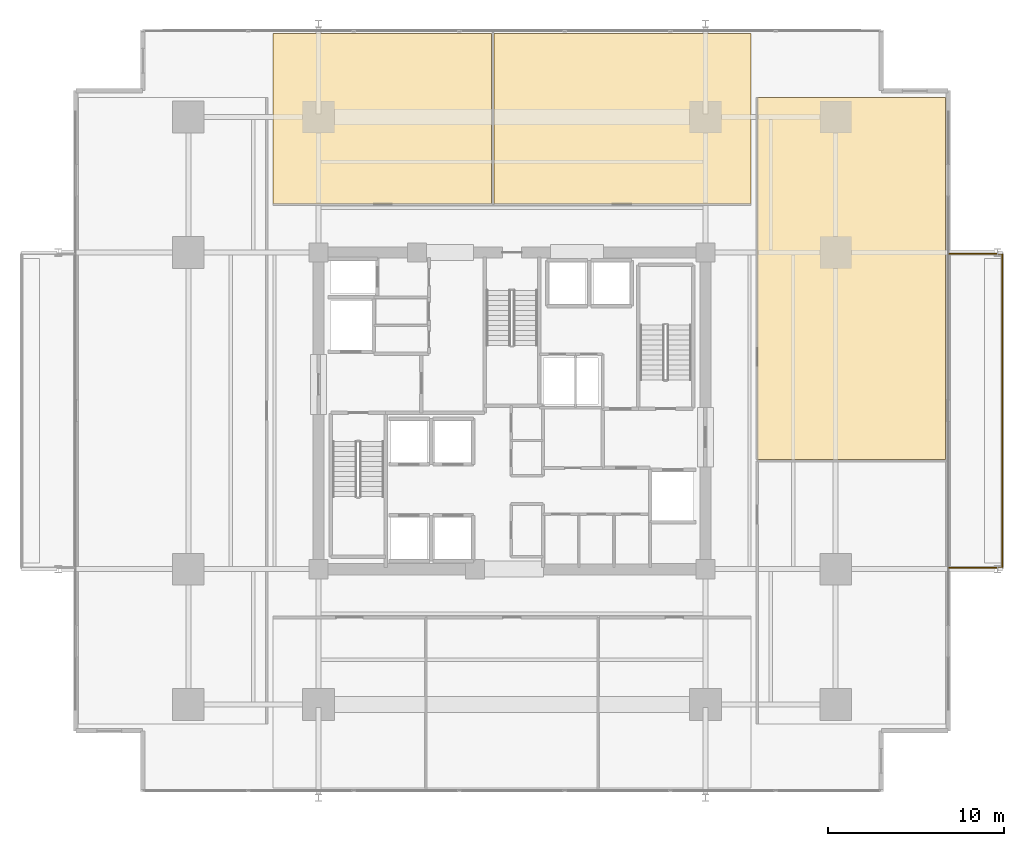
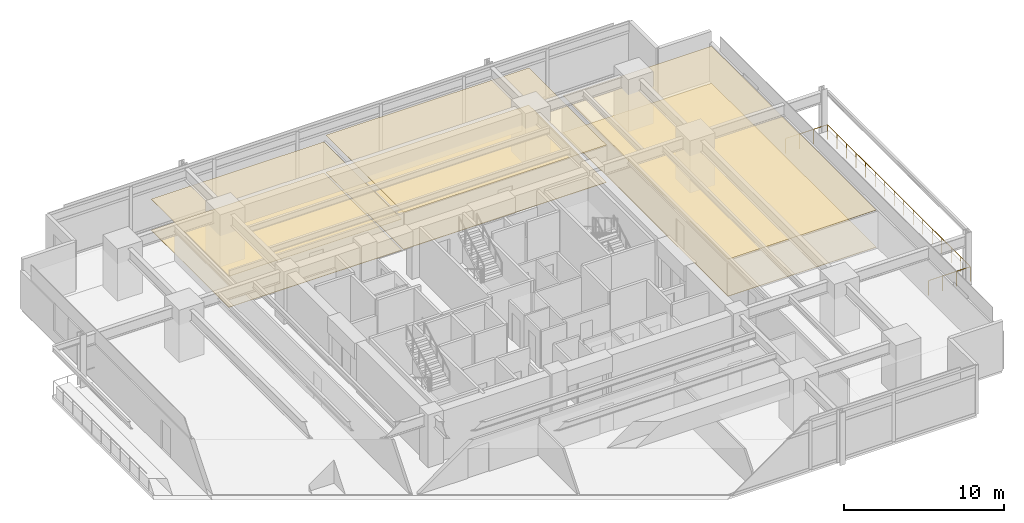
# One storey, part 21 of 21: 6 coverings, 1 railing.
"""IFC4 building model written with IfcOpenShell, lengths in metres."""

from ifc_helpers import new_model, si_unit, direction, frame, origin, origin_2d, place, context, subcontext, project, spatial, polyline, circle, outline, extrude, material, layer, layer_set, type_object, element, save


model = new_model("IFC4")

# Units and contexts
model_context = context("Model", 3, precision=1e-05, world=origin(), true_north=direction((0.0, 1.0)))
body_context = subcontext(model_context, "Body", "Model", "MODEL_VIEW")
ifc_project = project(units=[si_unit("LENGTHUNIT", "METRE"), si_unit("AREAUNIT", "SQUARE_METRE"), si_unit("VOLUMEUNIT", "CUBIC_METRE"), si_unit("PLANEANGLEUNIT", "RADIAN"), si_unit("MASSUNIT", "GRAM", prefix="KILO")], contexts=[model_context])

# Site, building, storey
site_placement = place(None, origin())
site = spatial("IfcSite", under=ifc_project, at=site_placement, CompositionType="ELEMENT")
building_placement = place(site_placement, origin())
building = spatial("IfcBuilding", under=site, at=building_placement, Name="Kovane Verandah Tower", CompositionType="ELEMENT")
storey_placement = place(building_placement, frame((0.0, 0.0, 27.60009765625)))
storey = spatial("IfcBuildingStorey", under=building, at=storey_placement, Name="L05", CompositionType="ELEMENT", Elevation=27.60009765625)

# Coverings
ifc_material_1 = material(Name="Perforated Acoustic Mineral-Fibre Ceiling Tile", Category="gypsum")
ifc_layer_1 = layer(ifc_material_1, 0.02490234375)
ifc_layer_set_1 = layer_set([ifc_layer_1], Name="Perforated Acoustic Mineral-Fibre Ceiling Tile")
covering_type_1 = type_object("IfcCoveringType", Name="CV-CEIL-25", PredefinedType="CEILING", material=ifc_layer_set_1)
covering_1_placement = place(storey_placement, frame((0.0, 0.0, 2.364990234375)))
element("IfcCovering", 1, at=covering_1_placement, inside=storey, type_object=covering_type_1, Name="L05 Open Plan Office N1 Acoustic Ceiling", PredefinedType="CEILING", context=body_context, shape_type="SweptSolid", body=[
    extrude(outline(polyline([(26.39990234375, 39.25), (38.842041015625, 39.25), (38.842041015625, 48.949951171875), (26.39990234375, 48.949951171875), (26.39990234375, 39.25)])), origin(), (0.0, 0.0, 1.0), 0.02490234375),
])
covering_2_placement = place(storey_placement, frame((0.0, 0.0, 2.824951171875)))
element("IfcCovering", 2, at=covering_2_placement, inside=storey, type_object=covering_type_1, Name="L05 Executive Office N2 Acoustic Ceiling", PredefinedType="CEILING", context=body_context, shape_type="SweptSolid", body=[
    extrude(outline(polyline([(38.98193359375, 39.25), (53.60009765625, 39.25), (53.60009765625, 48.949951171875), (38.98193359375, 48.949951171875), (38.98193359375, 39.25)])), origin(), (0.0, 0.0, 1.0), 0.02490234375),
])
covering_3_placement = place(storey_placement, frame((0.0, 0.0, 2.824951171875)))
element("IfcCovering", 3, at=covering_3_placement, inside=storey, type_object=covering_type_1, Name="L05 Document and Print Room E2 Acoustic Ceiling", PredefinedType="CEILING", context=body_context, shape_type="SweptSolid", body=[
    extrude(outline(polyline([(53.949951171875, 24.721923828125), (64.64990234375, 24.721923828125), (64.64990234375, 45.300048828125), (53.949951171875, 45.300048828125), (53.949951171875, 24.721923828125)])), origin(), (0.0, 0.0, 1.0), 0.02490234375),
])
ifc_material_2 = material(Name="Polished Terrazzo and Raised-Access Carpet Tile Finish", Category="concrete")
ifc_layer_2 = layer(ifc_material_2, 0.030029296875)
ifc_layer_set_2 = layer_set([ifc_layer_2], Name="Polished Terrazzo and Raised-Access Carpet Tile Finish")
covering_type_2 = type_object("IfcCoveringType", Name="CV-FLOR-30", PredefinedType="FLOORING", material=ifc_layer_set_2)
covering_4_placement = place(storey_placement, origin())
element("IfcCovering", 4, at=covering_4_placement, inside=storey, type_object=covering_type_2, Name="L05 Open Plan Office N1 Floor Finish", PredefinedType="FLOORING", context=body_context, shape_type="SweptSolid", body=[
    extrude(outline(polyline([(26.39990234375, 39.25), (38.842041015625, 39.25), (38.842041015625, 48.949951171875), (26.39990234375, 48.949951171875), (26.39990234375, 39.25)])), origin(), (0.0, 0.0, 1.0), 0.02978515625),
])
covering_5_placement = place(storey_placement, origin())
element("IfcCovering", 5, at=covering_5_placement, inside=storey, type_object=covering_type_2, Name="L05 Executive Office N2 Floor Finish", PredefinedType="FLOORING", context=body_context, shape_type="SweptSolid", body=[
    extrude(outline(polyline([(38.98193359375, 39.25), (53.60009765625, 39.25), (53.60009765625, 48.949951171875), (38.98193359375, 48.949951171875), (38.98193359375, 39.25)])), origin(), (0.0, 0.0, 1.0), 0.02978515625),
])
covering_6_placement = place(storey_placement, origin())
element("IfcCovering", 6, at=covering_6_placement, inside=storey, type_object=covering_type_2, Name="L05 Document and Print Room E2 Floor Finish", PredefinedType="FLOORING", context=body_context, shape_type="SweptSolid", body=[
    extrude(outline(polyline([(53.949951171875, 24.721923828125), (64.64990234375, 24.721923828125), (64.64990234375, 45.300048828125), (53.949951171875, 45.300048828125), (53.949951171875, 24.721923828125)])), origin(), (0.0, 0.0, 1.0), 0.02978515625),
])

# Railing
ifc_material_3 = material(Name="Laminated Glass and Pale-Champagne Stainless Balustrade", Category="glass")
railing_type = type_object("IfcRailingType", Name="RL-BAL-1150", PredefinedType="BALUSTRADE", material=ifc_material_3)
railing_placement = place(storey_placement, frame((64.85009765625, 18.580078125, 0.0)))
element("IfcRailing", 7, at=railing_placement, inside=storey, type_object=railing_type, Name="L05 E Verandah Glass Balustrade", PredefinedType="BALUSTRADE", context=body_context, shape_type="SweptSolid", body=[
    extrude(circle(Radius=0.02392578125, at=origin_2d()), frame((0.0, 0.0, 1.1259765625), z_axis=(1.0, 0.0, 0.0), x_axis=(0.0, 1.0, 0.0)), (0.0, 0.0, 1.0), 3.02001953125),
    extrude(circle(Radius=0.02392578125, at=origin_2d()), frame((3.02001953125, 0.0, 1.1259765625), z_axis=(0.0, 1.0, 0.0), x_axis=(-1.0, 0.0, 0.0)), (0.0, 0.0, 1.0), 17.83984375),
    extrude(circle(Radius=0.02392578125, at=origin_2d()), frame((3.02001953125, 17.83984375, 1.1259765625), z_axis=(-1.0, 0.0, 0.0), x_axis=(0.0, -1.0, 0.0)), (0.0, 0.0, 1.0), 3.02001953125),
    extrude(circle(Radius=0.02099609375, at=origin_2d()), origin(), (0.0, 0.0, 1.0), 1.101806640625),
    extrude(circle(Radius=0.02099609375, at=origin_2d()), frame((1.006591796875, 0.0, 0.0)), (0.0, 0.0, 1.0), 1.101806640625),
    extrude(circle(Radius=0.02099609375, at=origin_2d()), frame((2.013427734375, 0.0, 0.0)), (0.0, 0.0, 1.0), 1.101806640625),
    extrude(circle(Radius=0.02099609375, at=origin_2d()), frame((3.02001953125, 0.0, 0.0)), (0.0, 0.0, 1.0), 1.101806640625),
    extrude(circle(Radius=0.02099609375, at=origin_2d()), frame((3.02001953125, 1.189208984375, 0.0)), (0.0, 0.0, 1.0), 1.101806640625),
    extrude(circle(Radius=0.02099609375, at=origin_2d()), frame((3.02001953125, 2.378662109375, 0.0)), (0.0, 0.0, 1.0), 1.101806640625),
    extrude(circle(Radius=0.02099609375, at=origin_2d()), frame((3.02001953125, 3.56787109375, 0.0)), (0.0, 0.0, 1.0), 1.101806640625),
    extrude(circle(Radius=0.02099609375, at=origin_2d()), frame((3.02001953125, 4.75732421875, 0.0)), (0.0, 0.0, 1.0), 1.101806640625),
    extrude(circle(Radius=0.02099609375, at=origin_2d()), frame((3.02001953125, 5.946533203125, 0.0)), (0.0, 0.0, 1.0), 1.101806640625),
    extrude(circle(Radius=0.02099609375, at=origin_2d()), frame((3.02001953125, 7.135986328125, 0.0)), (0.0, 0.0, 1.0), 1.101806640625),
    extrude(circle(Radius=0.02099609375, at=origin_2d()), frame((3.02001953125, 8.3251953125, 0.0)), (0.0, 0.0, 1.0), 1.101806640625),
    extrude(circle(Radius=0.02099609375, at=origin_2d()), frame((3.02001953125, 9.5146484375, 0.0)), (0.0, 0.0, 1.0), 1.101806640625),
    extrude(circle(Radius=0.02099609375, at=origin_2d()), frame((3.02001953125, 10.703857421875, 0.0)), (0.0, 0.0, 1.0), 1.101806640625),
    extrude(circle(Radius=0.02099609375, at=origin_2d()), frame((3.02001953125, 11.893310546875, 0.0)), (0.0, 0.0, 1.0), 1.101806640625),
    extrude(circle(Radius=0.02099609375, at=origin_2d()), frame((3.02001953125, 13.08251953125, 0.0)), (0.0, 0.0, 1.0), 1.101806640625),
    extrude(circle(Radius=0.02099609375, at=origin_2d()), frame((3.02001953125, 14.27197265625, 0.0)), (0.0, 0.0, 1.0), 1.101806640625),
    extrude(circle(Radius=0.02099609375, at=origin_2d()), frame((3.02001953125, 15.461181640625, 0.0)), (0.0, 0.0, 1.0), 1.101806640625),
    extrude(circle(Radius=0.02099609375, at=origin_2d()), frame((3.02001953125, 16.650634765625, 0.0)), (0.0, 0.0, 1.0), 1.101806640625),
    extrude(circle(Radius=0.02099609375, at=origin_2d()), frame((3.02001953125, 17.83984375, 0.0)), (0.0, 0.0, 1.0), 1.101806640625),
    extrude(circle(Radius=0.02099609375, at=origin_2d()), frame((2.013427734375, 17.83984375, 0.0)), (0.0, 0.0, 1.0), 1.101806640625),
    extrude(circle(Radius=0.02099609375, at=origin_2d()), frame((1.006591796875, 17.83984375, 0.0)), (0.0, 0.0, 1.0), 1.101806640625),
    extrude(circle(Radius=0.02099609375, at=origin_2d()), frame((0.0, 17.83984375, 0.0)), (0.0, 0.0, 1.0), 1.101806640625),
])

save(model, "model.ifc")
